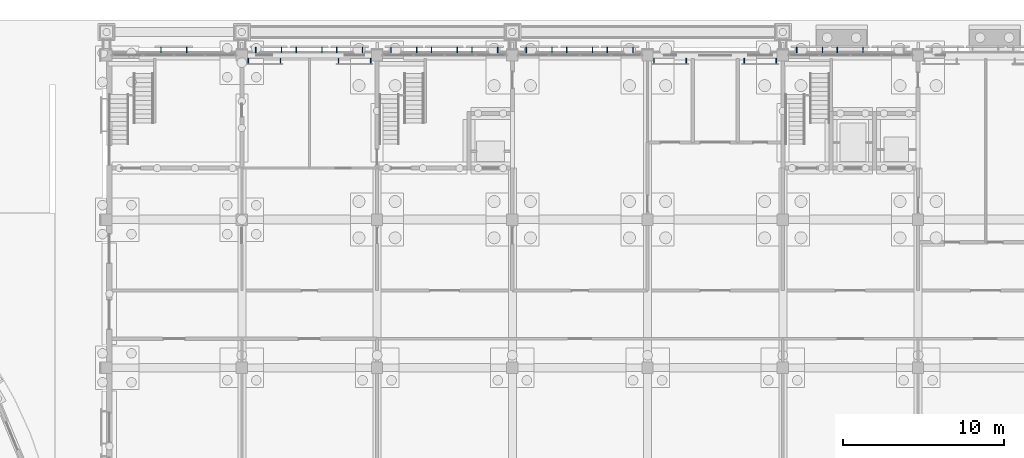
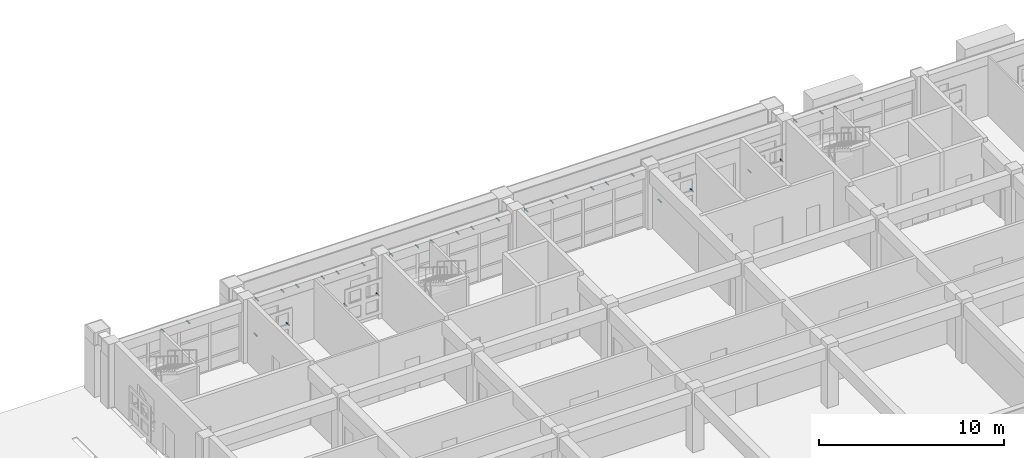
# One storey, part 92 of 112: 32 discrete accessories.
"""IFC4 building model written with IfcOpenShell, lengths in metres."""

from ifc_helpers import new_model, si_unit, direction, frame, origin, origin_2d, place, context, subcontext, project, spatial, rectangle, extrude, material, type_object, element, save


model = new_model("IFC4")

# Units and contexts
model_context = context("Model", 3, precision=1e-05, world=origin(), true_north=direction((0.0, 1.0)))
body_context = subcontext(model_context, "Body", "Model", "MODEL_VIEW")
ifc_project = project(units=[si_unit("LENGTHUNIT", "METRE"), si_unit("AREAUNIT", "SQUARE_METRE"), si_unit("VOLUMEUNIT", "CUBIC_METRE"), si_unit("PLANEANGLEUNIT", "RADIAN"), si_unit("MASSUNIT", "GRAM", prefix="KILO")], contexts=[model_context])

# Site, building, storey
site_placement = place(None, origin())
site = spatial("IfcSite", under=ifc_project, at=site_placement, CompositionType="ELEMENT")
building_placement = place(site_placement, origin())
building = spatial("IfcBuilding", under=site, at=building_placement, Name="Wasatch Bagh Community Centre", CompositionType="ELEMENT")
storey_placement = place(building_placement, origin())
storey = spatial("IfcBuildingStorey", under=building, at=storey_placement, Name="L00", CompositionType="ELEMENT", Elevation=0.0)

# Discrete accessories
ifc_material = material(Name="Galvanised steel", Category="steel")
discrete_accessory_type = type_object("IfcDiscreteAccessoryType", Name="LW jali bracket", PredefinedType="BRACKET", material=ifc_material)
for number, where, z_axis, x_axis, name in (
    (1, (72.800048828125, 97.4599609375, 1.634765625), (0.0, 0.0, 1.0), (1.0, 0.0, 0.0), "Jali bracket"),
    (2, (74.800048828125, 97.4599609375, 1.634765625), (0.0, 0.0, 1.0), (1.0, 0.0, 0.0), "Jali bracket"),
    (3, (78.39990234375, 97.4599609375, 1.634765625), (0.0, 0.0, 1.0), (1.0, 0.0, 0.0), "Jali bracket"),
    (4, (80.39990234375, 97.4599609375, 1.634765625), (0.0, 0.0, 1.0), (1.0, 0.0, 0.0), "Jali bracket"),
    (5, (98.0, 97.4599609375, 1.634765625), (0.0, 0.0, 1.0), (1.0, 0.0, 0.0), "Jali bracket"),
    (6, (100.0, 97.4599609375, 1.634765625), (0.0, 0.0, 1.0), (1.0, 0.0, 0.0), "Jali bracket"),
    (7, (103.60009765625, 97.4599609375, 1.634765625), (0.0, 0.0, 1.0), (1.0, 0.0, 0.0), "Jali bracket"),
    (8, (105.60009765625, 97.4599609375, 1.634765625), (0.0, 0.0, 1.0), (1.0, 0.0, 0.0), "Jali bracket"),
):
    element("IfcDiscreteAccessory", number, at=place(storey_placement, frame(where, z_axis=z_axis, x_axis=x_axis)), inside=storey, type_object=discrete_accessory_type, Name=name, PredefinedType="BRACKET", context=body_context, shape_type="SweptSolid", body=[
        extrude(rectangle(XDim=0.050048828125, YDim=0.320068359375, at=origin_2d()), origin(), (0.0, 0.0, 1.0), 0.050048828125),
    ])
for number, where, z_axis, x_axis, name in (
    (9, (67.3798828125, 98.137451171875, 3.39501953125), (0.0, 0.0, 1.0), (1.0, 0.0, 0.0), "Jali bracket"),
    (10, (68.97998046875, 98.137451171875, 3.39501953125), (0.0, 0.0, 1.0), (1.0, 0.0, 0.0), "Jali bracket"),
    (11, (73.260009765625, 98.137451171875, 3.39501953125), (0.0, 0.0, 1.0), (1.0, 0.0, 0.0), "Jali bracket"),
    (12, (74.860107421875, 98.137451171875, 3.39501953125), (0.0, 0.0, 1.0), (1.0, 0.0, 0.0), "Jali bracket"),
    (13, (75.780029296875, 98.137451171875, 3.39501953125), (0.0, 0.0, 1.0), (1.0, 0.0, 0.0), "Jali bracket"),
    (14, (77.3798828125, 98.137451171875, 3.39501953125), (0.0, 0.0, 1.0), (1.0, 0.0, 0.0), "Jali bracket"),
    (15, (78.300048828125, 98.137451171875, 3.39501953125), (0.0, 0.0, 1.0), (1.0, 0.0, 0.0), "Jali bracket"),
    (16, (79.89990234375, 98.137451171875, 3.39501953125), (0.0, 0.0, 1.0), (1.0, 0.0, 0.0), "Jali bracket"),
    (17, (81.659912109375, 98.137451171875, 3.39501953125), (0.0, 0.0, 1.0), (1.0, 0.0, 0.0), "Jali bracket"),
    (18, (83.260009765625, 98.137451171875, 3.39501953125), (0.0, 0.0, 1.0), (1.0, 0.0, 0.0), "Jali bracket"),
    (19, (84.179931640625, 98.137451171875, 3.39501953125), (0.0, 0.0, 1.0), (1.0, 0.0, 0.0), "Jali bracket"),
    (20, (85.780029296875, 98.137451171875, 3.39501953125), (0.0, 0.0, 1.0), (1.0, 0.0, 0.0), "Jali bracket"),
    (21, (86.699951171875, 98.137451171875, 3.39501953125), (0.0, 0.0, 1.0), (1.0, 0.0, 0.0), "Jali bracket"),
    (22, (88.300048828125, 98.137451171875, 3.39501953125), (0.0, 0.0, 1.0), (1.0, 0.0, 0.0), "Jali bracket"),
    (23, (90.06005859375, 98.137451171875, 3.39501953125), (0.0, 0.0, 1.0), (1.0, 0.0, 0.0), "Jali bracket"),
    (24, (91.659912109375, 98.137451171875, 3.39501953125), (0.0, 0.0, 1.0), (1.0, 0.0, 0.0), "Jali bracket"),
    (25, (92.580078125, 98.137451171875, 3.39501953125), (0.0, 0.0, 1.0), (1.0, 0.0, 0.0), "Jali bracket"),
    (26, (94.179931640625, 98.137451171875, 3.39501953125), (0.0, 0.0, 1.0), (1.0, 0.0, 0.0), "Jali bracket"),
    (27, (95.10009765625, 98.137451171875, 3.39501953125), (0.0, 0.0, 1.0), (1.0, 0.0, 0.0), "Jali bracket"),
    (28, (96.699951171875, 98.137451171875, 3.39501953125), (0.0, 0.0, 1.0), (1.0, 0.0, 0.0), "Jali bracket"),
    (29, (106.860107421875, 98.137451171875, 3.39501953125), (0.0, 0.0, 1.0), (1.0, 0.0, 0.0), "Jali bracket"),
    (30, (108.4599609375, 98.137451171875, 3.39501953125), (0.0, 0.0, 1.0), (1.0, 0.0, 0.0), "Jali bracket"),
    (31, (109.3798828125, 98.137451171875, 3.39501953125), (0.0, 0.0, 1.0), (1.0, 0.0, 0.0), "Jali bracket"),
    (32, (110.97998046875, 98.137451171875, 3.39501953125), (0.0, 0.0, 1.0), (1.0, 0.0, 0.0), "Jali bracket"),
):
    element("IfcDiscreteAccessory", number, at=place(storey_placement, frame(where, z_axis=z_axis, x_axis=x_axis)), inside=storey, type_object=discrete_accessory_type, Name=name, PredefinedType="BRACKET", context=body_context, shape_type="SweptSolid", body=[
        extrude(rectangle(XDim=0.050048828125, YDim=0.324951171875, at=origin_2d()), origin(), (0.0, 0.0, 1.0), 0.050048828125),
    ])

save(model, "model.ifc")
